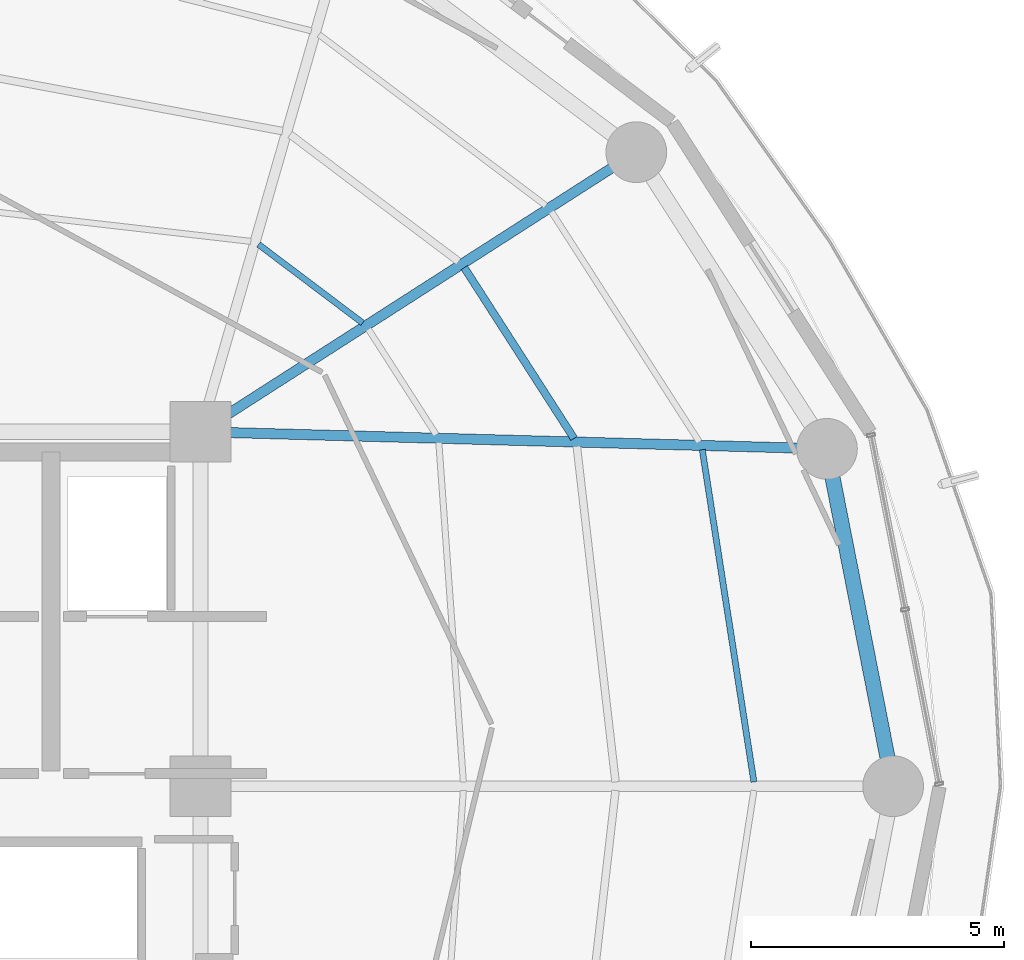
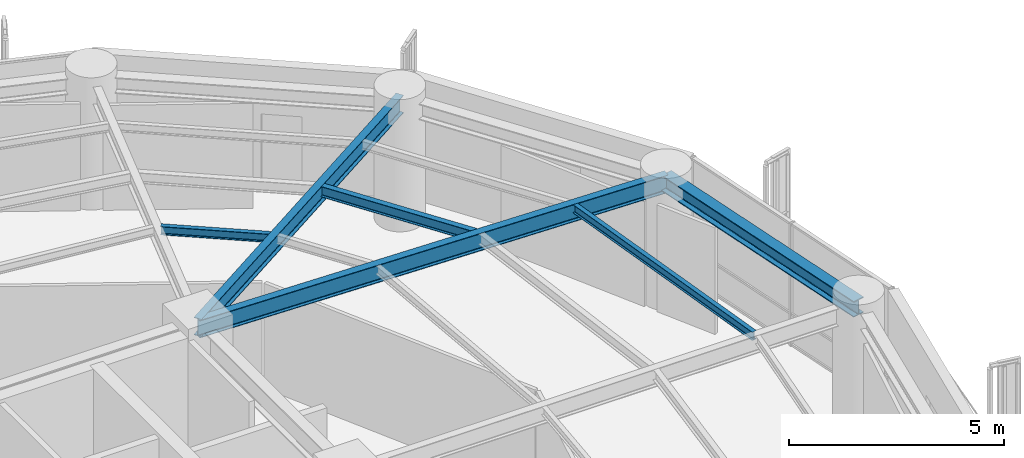
# One storey, part 14 of 27: 6 beams.
"""IFC4 building model written with IfcOpenShell, lengths in metres."""

from ifc_helpers import new_model, si_unit, direction, frame, origin, origin_2d, place, context, subcontext, project, spatial, i_section, extrude, material, material_profile, profile_set, type_object, element, save


model = new_model("IFC4")

# Units and contexts
model_context = context("Model", 3, precision=1e-05, world=origin(), true_north=direction((0.0, 1.0)))
body_context = subcontext(model_context, "Body", "Model", "MODEL_VIEW")
ifc_project = project(units=[si_unit("LENGTHUNIT", "METRE"), si_unit("AREAUNIT", "SQUARE_METRE"), si_unit("VOLUMEUNIT", "CUBIC_METRE"), si_unit("PLANEANGLEUNIT", "RADIAN"), si_unit("MASSUNIT", "GRAM", prefix="KILO")], contexts=[model_context])

# Site, building, storey
site_placement = place(None, origin())
site = spatial("IfcSite", under=ifc_project, at=site_placement, CompositionType="ELEMENT")
building_placement = place(site_placement, origin())
building = spatial("IfcBuilding", under=site, at=building_placement, Name="Kelanora Arch Commons", CompositionType="ELEMENT")
storey_placement = place(building_placement, frame((0.0, 0.0, 143.10009765625)))
storey = spatial("IfcBuildingStorey", under=building, at=storey_placement, Name="L36", CompositionType="ELEMENT", Elevation=143.10009765625)

# Beams
ifc_material = material(Name="Steel S355", Category="steel")
ifc_material_profile_1 = material_profile(ifc_material, i_section(OverallWidth=0.14990234375, OverallDepth=0.300048828125, WebThickness=0.007080078125, FlangeThickness=0.0107421875, FilletRadius=0.014892578125, at=origin_2d()), Name="IPE300")
ifc_profile_set_1 = profile_set([ifc_material_profile_1], Name="Steel S355")
beam_type_1 = type_object("IfcBeamType", Name="BM-JST-01", PredefinedType="JOIST", material=ifc_profile_set_1)
beam_1_placement = place(storey_placement, frame((89.377685546875, 64.869140625, 3.33984375), z_axis=(-0.540594434398, 0.841283339606, 0.0), x_axis=(-0.841283339606, -0.540594434398, 0.0)))
element("IfcBeam", 1, at=beam_1_placement, inside=storey, type_object=beam_type_1, Name="Secondary Chord Joist BJB-02 L36", PredefinedType="JOIST", context=body_context, shape_type="SweptSolid", body=[
    extrude(i_section(OverallWidth=0.14990234375, OverallDepth=0.300048828125, WebThickness=0.007080078125, FlangeThickness=0.0107421875, FilletRadius=0.014892578125, at=origin_2d()), origin(), (0.0, 0.0, 1.0), 4.008544921875),
])
ifc_material_profile_2 = material_profile(ifc_material, i_section(OverallWidth=0.1201171875, OverallDepth=0.239990234375, WebThickness=0.006103515625, FlangeThickness=0.009765625, FilletRadius=0.014892578125, at=origin_2d()), Name="IPE240")
ifc_profile_set_2 = profile_set([ifc_material_profile_2], Name="Steel S355")
beam_type_2 = type_object("IfcBeamType", Name="BM-JST-02", PredefinedType="JOIST", material=ifc_profile_set_2)
beam_2_placement = place(storey_placement, frame((92.930908203125, 58.083984375, 3.369873046875), z_axis=(-0.153562625853, 0.988138917329, 0.0), x_axis=(-0.988138917329, -0.153562625853, 0.0)))
element("IfcBeam", 2, at=beam_2_placement, inside=storey, type_object=beam_type_2, Name="Secondary Chord Joist BJC-00 L36", PredefinedType="JOIST", context=body_context, shape_type="SweptSolid", body=[
    extrude(i_section(OverallWidth=0.1201171875, OverallDepth=0.239990234375, WebThickness=0.006103515625, FlangeThickness=0.009765625, FilletRadius=0.014892578125, at=origin_2d()), origin(), (0.0, 0.0, 1.0), 6.640869140625),
])
beam_3_placement = place(storey_placement, frame((85.203125, 67.1494140625, 3.369873046875), z_axis=(-0.798484118859, 0.602015873487, 0.0), x_axis=(-0.602015873487, -0.798484118859, 0.0)))
element("IfcBeam", 3, at=beam_3_placement, inside=storey, type_object=beam_type_2, Name="Secondary Chord Joist BJA-04 L36", PredefinedType="JOIST", context=body_context, shape_type="SweptSolid", body=[
    extrude(i_section(OverallWidth=0.1201171875, OverallDepth=0.239990234375, WebThickness=0.006103515625, FlangeThickness=0.009765625, FilletRadius=0.014892578125, at=origin_2d()), origin(), (0.0, 0.0, 1.0), 2.57470703125),
])
ifc_material_profile_3 = material_profile(ifc_material, i_section(OverallWidth=0.199951171875, OverallDepth=0.5, WebThickness=0.01025390625, FlangeThickness=0.01611328125, FilletRadius=0.02099609375, at=origin_2d()), Name="IPE500")
ifc_profile_set_3 = profile_set([ifc_material_profile_3], Name="Steel S355")
beam_type_3 = type_object("IfcBeamType", Name="BM-RAD-Z3", PredefinedType="BEAM", material=ifc_profile_set_3)
beam_4_placement = place(storey_placement, frame((82.0, 65.0, 3.239990234375), z_axis=(0.999628374924, -0.027260081577, 0.0), x_axis=(0.027260081577, 0.999628374924, 0.0)))
element("IfcBeam", 4, at=beam_4_placement, inside=storey, type_object=beam_type_3, Name="Radial Floor Girder BR-02 L36", PredefinedType="BEAM", context=body_context, shape_type="SweptSolid", body=[
    extrude(i_section(OverallWidth=0.199951171875, OverallDepth=0.5, WebThickness=0.01025390625, FlangeThickness=0.01611328125, FilletRadius=0.02099609375, at=origin_2d()), origin(), (0.0, 0.0, 1.0), 12.377197265625),
])
beam_5_placement = place(storey_placement, frame((82.0, 65.0, 3.239990234375), z_axis=(0.841719465748, 0.539915123868, 0.0), x_axis=(-0.539915123868, 0.841719465748, 0.0)))
element("IfcBeam", 5, at=beam_5_placement, inside=storey, type_object=beam_type_3, Name="Radial Floor Girder BR-04 L36", PredefinedType="BEAM", context=body_context, shape_type="SweptSolid", body=[
    extrude(i_section(OverallWidth=0.199951171875, OverallDepth=0.5, WebThickness=0.01025390625, FlangeThickness=0.01611328125, FilletRadius=0.02099609375, at=origin_2d()), origin(), (0.0, 0.0, 1.0), 10.2265625),
])
ifc_material_profile_4 = material_profile(ifc_material, i_section(OverallWidth=0.300048828125, OverallDepth=0.449951171875, WebThickness=0.013916015625, FlangeThickness=0.02587890625, FilletRadius=0.027099609375, at=origin_2d()), Name="HEB450")
ifc_profile_set_4 = profile_set([ifc_material_profile_4], Name="Steel S355")
beam_type_4 = type_object("IfcBeamType", Name="BM-SPN-Z3", PredefinedType="SPANDREL", material=ifc_profile_set_4)
beam_6_placement = place(storey_placement, frame((95.679931640625, 58.0, 3.264892578125), z_axis=(-0.192553643556, 0.981286448675, 0.0), x_axis=(-0.981286448675, -0.192553643556, 0.0)))
element("IfcBeam", 6, at=beam_6_placement, inside=storey, type_object=beam_type_4, Name="Perimeter Spandrel Beam BS-00 L36", PredefinedType="SPANDREL", context=body_context, shape_type="SweptSolid", body=[
    extrude(i_section(OverallWidth=0.300048828125, OverallDepth=0.449951171875, WebThickness=0.013916015625, FlangeThickness=0.02587890625, FilletRadius=0.027099609375, at=origin_2d()), origin(), (0.0, 0.0, 1.0), 6.78955078125),
])

save(model, "model.ifc")
